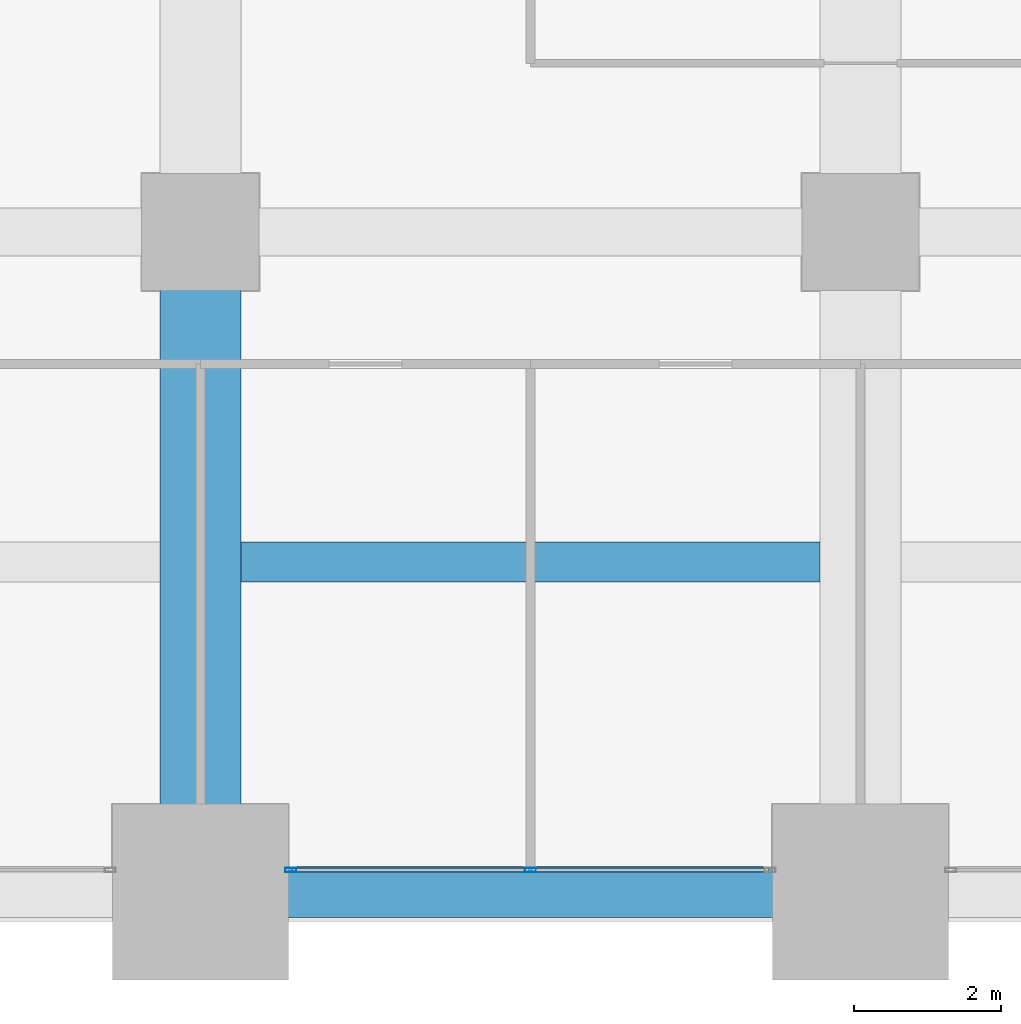
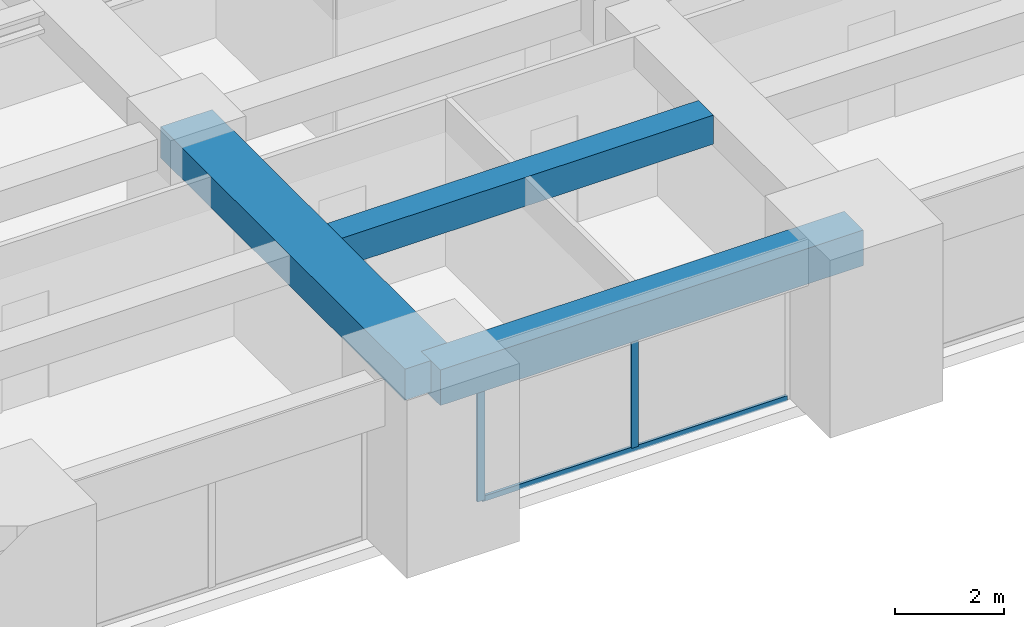
# One storey, part 7 of 34: 3 beams, 3 members, 1 element without a shape of its own.
"""IFC4 building model written with IfcOpenShell, lengths in metres."""

from ifc_helpers import new_model, si_unit, direction, frame, origin, origin_2d, place, context, subcontext, project, spatial, rectangle, hollow_rectangle, extrude, material, material_profile, profile_set, type_object, element, aggregate, save


model = new_model("IFC4")

# Units and contexts
model_context = context("Model", 3, precision=1e-05, world=origin(), true_north=direction((0.0, 1.0)))
body_context = subcontext(model_context, "Body", "Model", "MODEL_VIEW")
ifc_project = project(units=[si_unit("LENGTHUNIT", "METRE"), si_unit("AREAUNIT", "SQUARE_METRE"), si_unit("VOLUMEUNIT", "CUBIC_METRE"), si_unit("PLANEANGLEUNIT", "RADIAN"), si_unit("MASSUNIT", "GRAM", prefix="KILO")], contexts=[model_context])

# Site, building, storey
site_placement = place(None, origin())
site = spatial("IfcSite", under=ifc_project, at=site_placement, CompositionType="ELEMENT")
building_placement = place(site_placement, origin())
building = spatial("IfcBuilding", under=site, at=building_placement, Name="Zorevar Civic Tower", CompositionType="ELEMENT")
storey_placement = place(building_placement, frame((0.0, 0.0, 170.199951171875)))
storey = spatial("IfcBuildingStorey", under=building, at=storey_placement, Name="L41", CompositionType="ELEMENT", Elevation=170.199951171875)

# Beams
ifc_material_1 = material(Name="Concrete C50/60", Category="concrete")
ifc_material_profile_1 = material_profile(ifc_material_1, rectangle(XDim=1.10009765625, YDim=0.699951171875, at=origin_2d()), Name="RC 1100x700")
ifc_profile_set_1 = profile_set([ifc_material_profile_1], Name="Concrete C50/60")
beam_type_1 = type_object("IfcBeamType", Name="Beam RC 1100x700", PredefinedType="BEAM", material=ifc_profile_set_1)
beam_1_placement = place(storey_placement, frame((27.0, 0.0, 3.400146484375), z_axis=(0.0, 1.0, 0.0), x_axis=(-1.0, 0.0, 0.0)))
element("IfcBeam", 1, at=beam_1_placement, inside=storey, type_object=beam_type_1, Name="Girder L42", PredefinedType="BEAM", context=body_context, shape_type="SweptSolid", body=[
    extrude(rectangle(XDim=1.10009765625, YDim=0.699951171875, at=origin_2d()), origin(), (0.0, 0.0, 1.0), 9.0),
])
ifc_material_2 = material(Name="Concrete C50/60", Category="concrete")
ifc_material_profile_2 = material_profile(ifc_material_2, rectangle(XDim=0.550048828125, YDim=0.64990234375, at=origin_2d()), Name="RC 550x650")
ifc_profile_set_2 = profile_set([ifc_material_profile_2], Name="Concrete C50/60")
beam_type_2 = type_object("IfcBeamType", Name="Beam RC 550x650", PredefinedType="BEAM", material=ifc_profile_set_2)
beam_2_placement = place(storey_placement, frame((27.550048828125, 4.5, 3.425048828125), z_axis=(1.0, 0.0, 0.0), x_axis=(0.0, 1.0, 0.0)))
element("IfcBeam", 2, at=beam_2_placement, inside=storey, type_object=beam_type_2, Name="Secondary beam L42", PredefinedType="BEAM", context=body_context, shape_type="SweptSolid", body=[
    extrude(rectangle(XDim=0.550048828125, YDim=0.64990234375, at=origin_2d()), origin(), (0.0, 0.0, 1.0), 7.89990234375),
])

# Curtain wall, members
ifc_material_3 = material(Name="Dark grey solar-control glass in black aluminium frame", Category="aluminium")
curtain_wall_type = type_object("IfcCurtainWallType", Name="Curtain wall CW4 high zone", PredefinedType="NOTDEFINED", material=ifc_material_3)
curtain_wall_placement = place(storey_placement, origin())
curtain_wall = element("IfcCurtainWall", 3, at=curtain_wall_placement, inside=storey, type_object=curtain_wall_type, Name="CW4 L41", PredefinedType="NOTDEFINED")
ifc_material_4 = material(Name="Aluminium, black anodised", Category="aluminium")
ifc_material_profile_3 = material_profile(ifc_material_4, hollow_rectangle(XDim=0.06005859375, YDim=0.14990234375, WallThickness=0.00390625, at=origin_2d()), Name="AL 150x60x4")
ifc_profile_set_3 = profile_set([ifc_material_profile_3], Name="Aluminium, black anodised")
member_type_1 = type_object("IfcMemberType", Name="CW4 mullion AL 150x60x4", PredefinedType="MULLION", material=ifc_profile_set_3)
member_1_placement = place(storey_placement, frame((28.22998046875, 0.300048828125, 0.0), z_axis=(0.0, 0.0, 1.0), x_axis=(0.0, 1.0, 0.0)))
member_1 = element("IfcMember", 4, at=member_1_placement, type_object=member_type_1, Name="CW4 mullion 1", PredefinedType="MULLION", context=body_context, shape_type="SweptSolid", body=[
    extrude(hollow_rectangle(XDim=0.06005859375, YDim=0.14990234375, WallThickness=0.00390625, at=origin_2d()), origin(), (0.0, 0.0, 1.0), 2.949951171875),
])
member_2_placement = place(storey_placement, frame((31.5, 0.300048828125, 0.06005859375), z_axis=(0.0, 0.0, 1.0), x_axis=(0.0, 1.0, 0.0)))
member_2 = element("IfcMember", 5, at=member_2_placement, type_object=member_type_1, Name="CW4 mullion 2", PredefinedType="MULLION", context=body_context, shape_type="SweptSolid", body=[
    extrude(hollow_rectangle(XDim=0.06005859375, YDim=0.14990234375, WallThickness=0.00390625, at=origin_2d()), origin(), (0.0, 0.0, 1.0), 2.889892578125),
])
ifc_material_5 = material(Name="Aluminium, black anodised", Category="aluminium")
ifc_material_profile_4 = material_profile(ifc_material_5, hollow_rectangle(XDim=0.06005859375, YDim=0.1201171875, WallThickness=0.0029296875, at=origin_2d()), Name="AL 120x60x3")
ifc_profile_set_4 = profile_set([ifc_material_profile_4], Name="Aluminium, black anodised")
member_type_2 = type_object("IfcMemberType", Name="CW4 transom AL 120x60x3", PredefinedType="USERDEFINED", material=ifc_profile_set_4)
member_3_placement = place(storey_placement, frame((28.260009765625, 0.300048828125, 0.030029296875), z_axis=(1.0, 0.0, 0.0), x_axis=(0.0, 1.0, 0.0)))
member_3 = element("IfcMember", 6, at=member_3_placement, type_object=member_type_2, Name="CW4 sill transom", ObjectType="TRANSOM", PredefinedType="USERDEFINED", context=body_context, shape_type="SweptSolid", body=[
    extrude(hollow_rectangle(XDim=0.06005859375, YDim=0.1201171875, WallThickness=0.0029296875, at=origin_2d()), origin(), (0.0, 0.0, 1.0), 6.47998046875),
])
aggregate(curtain_wall, [member_1, member_2, member_3])

# Beam
ifc_material_6 = material(Name="Concrete C50/60", Category="concrete")
ifc_material_profile_5 = material_profile(ifc_material_6, rectangle(XDim=0.699951171875, YDim=0.800048828125, at=origin_2d()), Name="RC 700x800")
ifc_profile_set_5 = profile_set([ifc_material_profile_5], Name="Concrete C50/60")
beam_type_3 = type_object("IfcBeamType", Name="Edge beam RC 700x800", PredefinedType="SPANDREL", material=ifc_profile_set_5)
beam_3_placement = place(storey_placement, frame((27.0, 0.0, 3.35009765625), z_axis=(1.0, 0.0, 0.0), x_axis=(0.0, 1.0, 0.0)))
element("IfcBeam", 7, at=beam_3_placement, inside=storey, type_object=beam_type_3, Name="Edge beam L42", PredefinedType="SPANDREL", context=body_context, shape_type="SweptSolid", body=[
    extrude(rectangle(XDim=0.699951171875, YDim=0.800048828125, at=origin_2d()), origin(), (0.0, 0.0, 1.0), 9.0),
])

save(model, "model.ifc")
